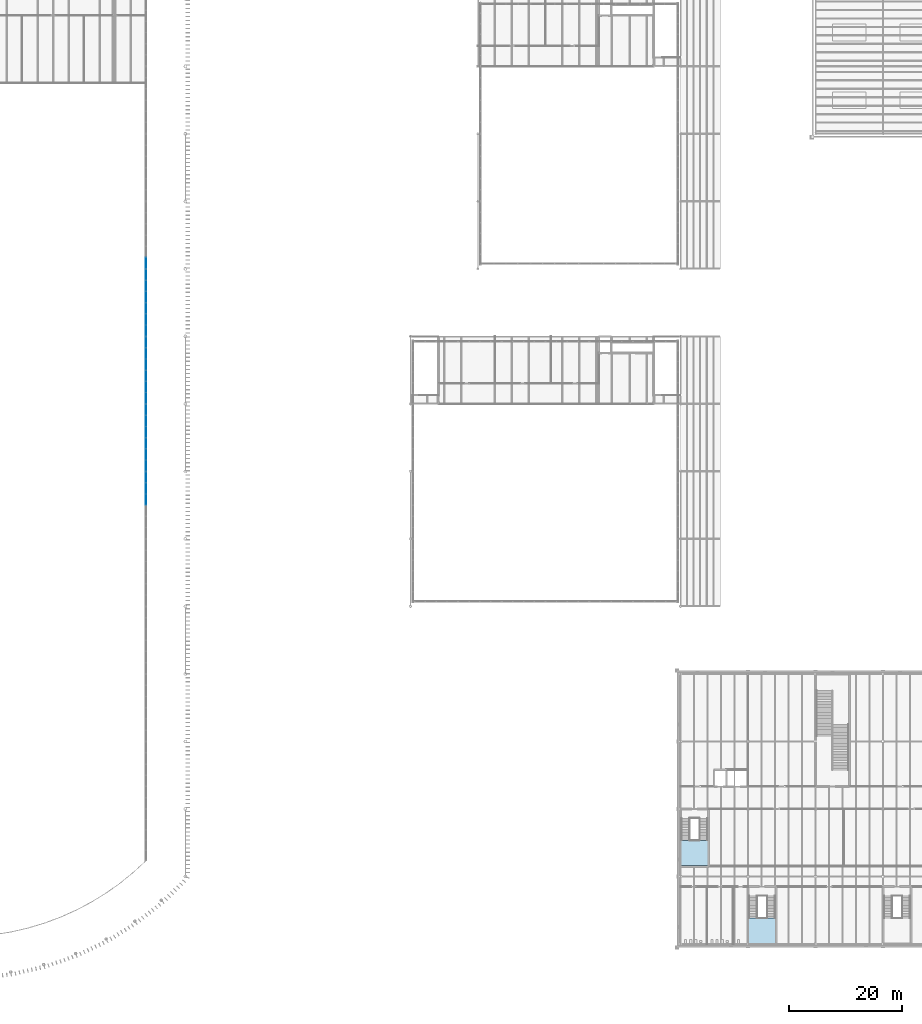
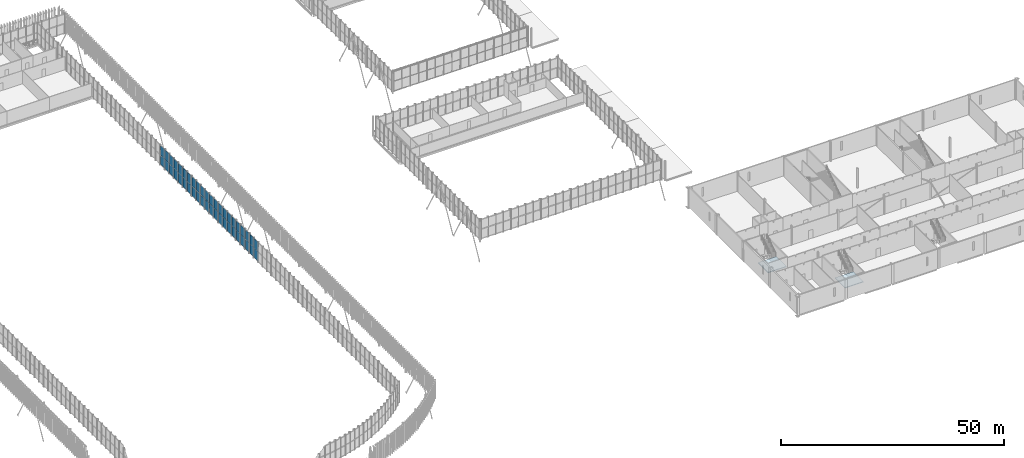
# One storey, part 90 of 170: 44 plates, 2 slabs, 7 elements without a shape of their own.
"""IFC4 building model written with IfcOpenShell, lengths in metres."""

from ifc_helpers import new_model, si_unit, direction, frame, origin, origin_2d, place, context, subcontext, project, spatial, polyline, rectangle, outline, extrude, material, layer, layer_set, type_object, element, aggregate, save


model = new_model("IFC4")

# Units and contexts
model_context = context("Model", 3, precision=1e-05, world=origin(), true_north=direction((0.0, 1.0)))
body_context = subcontext(model_context, "Body", "Model", "MODEL_VIEW")
ifc_project = project(units=[si_unit("LENGTHUNIT", "METRE"), si_unit("AREAUNIT", "SQUARE_METRE"), si_unit("VOLUMEUNIT", "CUBIC_METRE"), si_unit("PLANEANGLEUNIT", "RADIAN"), si_unit("MASSUNIT", "GRAM", prefix="KILO")], contexts=[model_context])

# Site, building, storey
site_placement = place(None, origin())
site = spatial("IfcSite", under=ifc_project, at=site_placement, CompositionType="ELEMENT")
building_placement = place(site_placement, origin())
building = spatial("IfcBuilding", under=site, at=building_placement, Name="Ravi Spectrum Wholesale Market", CompositionType="ELEMENT")
storey_placement = place(building_placement, frame((0.0, 0.0, 5.39990234375)))
storey = spatial("IfcBuildingStorey", under=building, at=storey_placement, Name="L01", CompositionType="ELEMENT", Elevation=5.39990234375)

# Curtain wall, plates
ifc_material_1 = material(Name="Aluminium 6063-T6", Category="aluminium")
ifc_layer_1 = layer(ifc_material_1, 0.14990234375)
ifc_layer_set_1 = layer_set([ifc_layer_1], Name="Aluminium 6063-T6")
curtain_wall_type = type_object("IfcCurtainWallType", Name="Curtain wall 150", PredefinedType="NOTDEFINED", material=ifc_layer_set_1)
curtain_wall_1_placement = place(storey_placement, origin())
curtain_wall_1 = element("IfcCurtainWall", 1, at=curtain_wall_1_placement, inside=storey, type_object=curtain_wall_type, Name="H1-CW-L01-020", PredefinedType="NOTDEFINED")
ifc_material_2 = material(Name="Toughened glass", Category="glass")
ifc_layer_2 = layer(ifc_material_2, 0.028076171875)
ifc_layer_set_2 = layer_set([ifc_layer_2], Name="Toughened glass")
plate_type = type_object("IfcPlateType", Name="Glazing panel 28", PredefinedType="CURTAIN_PANEL", material=ifc_layer_set_2)
plate_1_placement = place(storey_placement, frame((103.0, 96.993408203125, 0.06005859375), z_axis=(0.0, 0.0, 1.0), x_axis=(0.0, 1.0, 0.0)))
plate_1 = element("IfcPlate", 2, at=plate_1_placement, type_object=plate_type, Name="H1-CW-L01-020 panel 4.1", PredefinedType="CURTAIN_PANEL", context=body_context, shape_type="SweptSolid", body=[
    extrude(rectangle(XDim=1.9267578125, YDim=0.028076171875, at=origin_2d()), origin(), (0.0, 0.0, 1.0), 2.610107421875),
])
plate_2_placement = place(storey_placement, frame((103.0, 96.993408203125, 2.72998046875), z_axis=(0.0, 0.0, 1.0), x_axis=(0.0, 1.0, 0.0)))
plate_2 = element("IfcPlate", 3, at=plate_2_placement, type_object=plate_type, Name="H1-CW-L01-020 panel 4.2", PredefinedType="CURTAIN_PANEL", context=body_context, shape_type="SweptSolid", body=[
    extrude(rectangle(XDim=1.9267578125, YDim=0.028076171875, at=origin_2d()), origin(), (0.0, 0.0, 1.0), 2.610107421875),
])
plate_3_placement = place(storey_placement, frame((103.0, 98.97998046875, 0.06005859375), z_axis=(0.0, 0.0, 1.0), x_axis=(0.0, 1.0, 0.0)))
plate_3 = element("IfcPlate", 4, at=plate_3_placement, type_object=plate_type, Name="H1-CW-L01-020 panel 5.1", PredefinedType="CURTAIN_PANEL", context=body_context, shape_type="SweptSolid", body=[
    extrude(rectangle(XDim=1.9267578125, YDim=0.028076171875, at=origin_2d()), origin(), (0.0, 0.0, 1.0), 2.610107421875),
])
plate_4_placement = place(storey_placement, frame((103.0, 98.97998046875, 2.72998046875), z_axis=(0.0, 0.0, 1.0), x_axis=(0.0, 1.0, 0.0)))
plate_4 = element("IfcPlate", 5, at=plate_4_placement, type_object=plate_type, Name="H1-CW-L01-020 panel 5.2", PredefinedType="CURTAIN_PANEL", context=body_context, shape_type="SweptSolid", body=[
    extrude(rectangle(XDim=1.9267578125, YDim=0.028076171875, at=origin_2d()), origin(), (0.0, 0.0, 1.0), 2.610107421875),
])
plate_5_placement = place(storey_placement, frame((103.0, 100.95166015625, 0.06005859375), z_axis=(0.0, 0.0, 1.0), x_axis=(0.0, 1.0, 0.0)))
plate_5 = element("IfcPlate", 6, at=plate_5_placement, type_object=plate_type, Name="H1-CW-L01-020 panel 6.1", PredefinedType="CURTAIN_PANEL", context=body_context, shape_type="SweptSolid", body=[
    extrude(rectangle(XDim=1.896728515625, YDim=0.028076171875, at=origin_2d()), origin(), (0.0, 0.0, 1.0), 2.610107421875),
])
plate_6_placement = place(storey_placement, frame((103.0, 100.95166015625, 2.72998046875), z_axis=(0.0, 0.0, 1.0), x_axis=(0.0, 1.0, 0.0)))
plate_6 = element("IfcPlate", 7, at=plate_6_placement, type_object=plate_type, Name="H1-CW-L01-020 panel 6.2", PredefinedType="CURTAIN_PANEL", context=body_context, shape_type="SweptSolid", body=[
    extrude(rectangle(XDim=1.896728515625, YDim=0.028076171875, at=origin_2d()), origin(), (0.0, 0.0, 1.0), 2.610107421875),
])
aggregate(curtain_wall_1, [plate_1, plate_2, plate_3, plate_4, plate_5, plate_6])

curtain_wall_2_placement = place(storey_placement, origin())
curtain_wall_2 = element("IfcCurtainWall", 8, at=curtain_wall_2_placement, inside=storey, type_object=curtain_wall_type, Name="H1-CW-L01-021", PredefinedType="NOTDEFINED")
plate_7_placement = place(storey_placement, frame((103.0, 103.04833984375, 0.06005859375), z_axis=(0.0, 0.0, 1.0), x_axis=(0.0, 1.0, 0.0)))
plate_7 = element("IfcPlate", 9, at=plate_7_placement, type_object=plate_type, Name="H1-CW-L01-021 panel 1.1", PredefinedType="CURTAIN_PANEL", context=body_context, shape_type="SweptSolid", body=[
    extrude(rectangle(XDim=1.896728515625, YDim=0.028076171875, at=origin_2d()), origin(), (0.0, 0.0, 1.0), 2.610107421875),
])
plate_8_placement = place(storey_placement, frame((103.0, 103.04833984375, 2.72998046875), z_axis=(0.0, 0.0, 1.0), x_axis=(0.0, 1.0, 0.0)))
plate_8 = element("IfcPlate", 10, at=plate_8_placement, type_object=plate_type, Name="H1-CW-L01-021 panel 1.2", PredefinedType="CURTAIN_PANEL", context=body_context, shape_type="SweptSolid", body=[
    extrude(rectangle(XDim=1.896728515625, YDim=0.028076171875, at=origin_2d()), origin(), (0.0, 0.0, 1.0), 2.610107421875),
])
plate_9_placement = place(storey_placement, frame((103.0, 105.02001953125, 0.06005859375), z_axis=(0.0, 0.0, 1.0), x_axis=(0.0, 1.0, 0.0)))
plate_9 = element("IfcPlate", 11, at=plate_9_placement, type_object=plate_type, Name="H1-CW-L01-021 panel 2.1", PredefinedType="CURTAIN_PANEL", context=body_context, shape_type="SweptSolid", body=[
    extrude(rectangle(XDim=1.9267578125, YDim=0.028076171875, at=origin_2d()), origin(), (0.0, 0.0, 1.0), 2.610107421875),
])
plate_10_placement = place(storey_placement, frame((103.0, 105.02001953125, 2.72998046875), z_axis=(0.0, 0.0, 1.0), x_axis=(0.0, 1.0, 0.0)))
plate_10 = element("IfcPlate", 12, at=plate_10_placement, type_object=plate_type, Name="H1-CW-L01-021 panel 2.2", PredefinedType="CURTAIN_PANEL", context=body_context, shape_type="SweptSolid", body=[
    extrude(rectangle(XDim=1.9267578125, YDim=0.028076171875, at=origin_2d()), origin(), (0.0, 0.0, 1.0), 2.610107421875),
])
plate_11_placement = place(storey_placement, frame((103.0, 107.006591796875, 0.06005859375), z_axis=(0.0, 0.0, 1.0), x_axis=(0.0, 1.0, 0.0)))
plate_11 = element("IfcPlate", 13, at=plate_11_placement, type_object=plate_type, Name="H1-CW-L01-021 panel 3.1", PredefinedType="CURTAIN_PANEL", context=body_context, shape_type="SweptSolid", body=[
    extrude(rectangle(XDim=1.9267578125, YDim=0.028076171875, at=origin_2d()), origin(), (0.0, 0.0, 1.0), 2.610107421875),
])
plate_12_placement = place(storey_placement, frame((103.0, 107.006591796875, 2.72998046875), z_axis=(0.0, 0.0, 1.0), x_axis=(0.0, 1.0, 0.0)))
plate_12 = element("IfcPlate", 14, at=plate_12_placement, type_object=plate_type, Name="H1-CW-L01-021 panel 3.2", PredefinedType="CURTAIN_PANEL", context=body_context, shape_type="SweptSolid", body=[
    extrude(rectangle(XDim=1.9267578125, YDim=0.028076171875, at=origin_2d()), origin(), (0.0, 0.0, 1.0), 2.610107421875),
])
plate_13_placement = place(storey_placement, frame((103.0, 108.993408203125, 0.06005859375), z_axis=(0.0, 0.0, 1.0), x_axis=(0.0, 1.0, 0.0)))
plate_13 = element("IfcPlate", 15, at=plate_13_placement, type_object=plate_type, Name="H1-CW-L01-021 panel 4.1", PredefinedType="CURTAIN_PANEL", context=body_context, shape_type="SweptSolid", body=[
    extrude(rectangle(XDim=1.9267578125, YDim=0.028076171875, at=origin_2d()), origin(), (0.0, 0.0, 1.0), 2.610107421875),
])
plate_14_placement = place(storey_placement, frame((103.0, 108.993408203125, 2.72998046875), z_axis=(0.0, 0.0, 1.0), x_axis=(0.0, 1.0, 0.0)))
plate_14 = element("IfcPlate", 16, at=plate_14_placement, type_object=plate_type, Name="H1-CW-L01-021 panel 4.2", PredefinedType="CURTAIN_PANEL", context=body_context, shape_type="SweptSolid", body=[
    extrude(rectangle(XDim=1.9267578125, YDim=0.028076171875, at=origin_2d()), origin(), (0.0, 0.0, 1.0), 2.610107421875),
])
plate_15_placement = place(storey_placement, frame((103.0, 110.97998046875, 0.06005859375), z_axis=(0.0, 0.0, 1.0), x_axis=(0.0, 1.0, 0.0)))
plate_15 = element("IfcPlate", 17, at=plate_15_placement, type_object=plate_type, Name="H1-CW-L01-021 panel 5.1", PredefinedType="CURTAIN_PANEL", context=body_context, shape_type="SweptSolid", body=[
    extrude(rectangle(XDim=1.9267578125, YDim=0.028076171875, at=origin_2d()), origin(), (0.0, 0.0, 1.0), 2.610107421875),
])
plate_16_placement = place(storey_placement, frame((103.0, 110.97998046875, 2.72998046875), z_axis=(0.0, 0.0, 1.0), x_axis=(0.0, 1.0, 0.0)))
plate_16 = element("IfcPlate", 18, at=plate_16_placement, type_object=plate_type, Name="H1-CW-L01-021 panel 5.2", PredefinedType="CURTAIN_PANEL", context=body_context, shape_type="SweptSolid", body=[
    extrude(rectangle(XDim=1.9267578125, YDim=0.028076171875, at=origin_2d()), origin(), (0.0, 0.0, 1.0), 2.610107421875),
])
plate_17_placement = place(storey_placement, frame((103.0, 112.95166015625, 0.06005859375), z_axis=(0.0, 0.0, 1.0), x_axis=(0.0, 1.0, 0.0)))
plate_17 = element("IfcPlate", 19, at=plate_17_placement, type_object=plate_type, Name="H1-CW-L01-021 panel 6.1", PredefinedType="CURTAIN_PANEL", context=body_context, shape_type="SweptSolid", body=[
    extrude(rectangle(XDim=1.896728515625, YDim=0.028076171875, at=origin_2d()), origin(), (0.0, 0.0, 1.0), 2.610107421875),
])
plate_18_placement = place(storey_placement, frame((103.0, 112.95166015625, 2.72998046875), z_axis=(0.0, 0.0, 1.0), x_axis=(0.0, 1.0, 0.0)))
plate_18 = element("IfcPlate", 20, at=plate_18_placement, type_object=plate_type, Name="H1-CW-L01-021 panel 6.2", PredefinedType="CURTAIN_PANEL", context=body_context, shape_type="SweptSolid", body=[
    extrude(rectangle(XDim=1.896728515625, YDim=0.028076171875, at=origin_2d()), origin(), (0.0, 0.0, 1.0), 2.610107421875),
])
aggregate(curtain_wall_2, [plate_7, plate_8, plate_9, plate_10, plate_11, plate_12, plate_13, plate_14, plate_15, plate_16, plate_17, plate_18])

curtain_wall_3_placement = place(storey_placement, origin())
curtain_wall_3 = element("IfcCurtainWall", 21, at=curtain_wall_3_placement, inside=storey, type_object=curtain_wall_type, Name="H1-CW-L01-022", PredefinedType="NOTDEFINED")
plate_19_placement = place(storey_placement, frame((103.0, 115.04833984375, 0.06005859375), z_axis=(0.0, 0.0, 1.0), x_axis=(0.0, 1.0, 0.0)))
plate_19 = element("IfcPlate", 22, at=plate_19_placement, type_object=plate_type, Name="H1-CW-L01-022 panel 1.1", PredefinedType="CURTAIN_PANEL", context=body_context, shape_type="SweptSolid", body=[
    extrude(rectangle(XDim=1.896728515625, YDim=0.028076171875, at=origin_2d()), origin(), (0.0, 0.0, 1.0), 2.610107421875),
])
plate_20_placement = place(storey_placement, frame((103.0, 115.04833984375, 2.72998046875), z_axis=(0.0, 0.0, 1.0), x_axis=(0.0, 1.0, 0.0)))
plate_20 = element("IfcPlate", 23, at=plate_20_placement, type_object=plate_type, Name="H1-CW-L01-022 panel 1.2", PredefinedType="CURTAIN_PANEL", context=body_context, shape_type="SweptSolid", body=[
    extrude(rectangle(XDim=1.896728515625, YDim=0.028076171875, at=origin_2d()), origin(), (0.0, 0.0, 1.0), 2.610107421875),
])
plate_21_placement = place(storey_placement, frame((103.0, 117.02001953125, 0.06005859375), z_axis=(0.0, 0.0, 1.0), x_axis=(0.0, 1.0, 0.0)))
plate_21 = element("IfcPlate", 24, at=plate_21_placement, type_object=plate_type, Name="H1-CW-L01-022 panel 2.1", PredefinedType="CURTAIN_PANEL", context=body_context, shape_type="SweptSolid", body=[
    extrude(rectangle(XDim=1.9267578125, YDim=0.028076171875, at=origin_2d()), origin(), (0.0, 0.0, 1.0), 2.610107421875),
])
plate_22_placement = place(storey_placement, frame((103.0, 117.02001953125, 2.72998046875), z_axis=(0.0, 0.0, 1.0), x_axis=(0.0, 1.0, 0.0)))
plate_22 = element("IfcPlate", 25, at=plate_22_placement, type_object=plate_type, Name="H1-CW-L01-022 panel 2.2", PredefinedType="CURTAIN_PANEL", context=body_context, shape_type="SweptSolid", body=[
    extrude(rectangle(XDim=1.9267578125, YDim=0.028076171875, at=origin_2d()), origin(), (0.0, 0.0, 1.0), 2.610107421875),
])
plate_23_placement = place(storey_placement, frame((103.0, 119.006591796875, 0.06005859375), z_axis=(0.0, 0.0, 1.0), x_axis=(0.0, 1.0, 0.0)))
plate_23 = element("IfcPlate", 26, at=plate_23_placement, type_object=plate_type, Name="H1-CW-L01-022 panel 3.1", PredefinedType="CURTAIN_PANEL", context=body_context, shape_type="SweptSolid", body=[
    extrude(rectangle(XDim=1.9267578125, YDim=0.028076171875, at=origin_2d()), origin(), (0.0, 0.0, 1.0), 2.610107421875),
])
plate_24_placement = place(storey_placement, frame((103.0, 119.006591796875, 2.72998046875), z_axis=(0.0, 0.0, 1.0), x_axis=(0.0, 1.0, 0.0)))
plate_24 = element("IfcPlate", 27, at=plate_24_placement, type_object=plate_type, Name="H1-CW-L01-022 panel 3.2", PredefinedType="CURTAIN_PANEL", context=body_context, shape_type="SweptSolid", body=[
    extrude(rectangle(XDim=1.9267578125, YDim=0.028076171875, at=origin_2d()), origin(), (0.0, 0.0, 1.0), 2.610107421875),
])
plate_25_placement = place(storey_placement, frame((103.0, 120.993408203125, 0.06005859375), z_axis=(0.0, 0.0, 1.0), x_axis=(0.0, 1.0, 0.0)))
plate_25 = element("IfcPlate", 28, at=plate_25_placement, type_object=plate_type, Name="H1-CW-L01-022 panel 4.1", PredefinedType="CURTAIN_PANEL", context=body_context, shape_type="SweptSolid", body=[
    extrude(rectangle(XDim=1.9267578125, YDim=0.028076171875, at=origin_2d()), origin(), (0.0, 0.0, 1.0), 2.610107421875),
])
plate_26_placement = place(storey_placement, frame((103.0, 120.993408203125, 2.72998046875), z_axis=(0.0, 0.0, 1.0), x_axis=(0.0, 1.0, 0.0)))
plate_26 = element("IfcPlate", 29, at=plate_26_placement, type_object=plate_type, Name="H1-CW-L01-022 panel 4.2", PredefinedType="CURTAIN_PANEL", context=body_context, shape_type="SweptSolid", body=[
    extrude(rectangle(XDim=1.9267578125, YDim=0.028076171875, at=origin_2d()), origin(), (0.0, 0.0, 1.0), 2.610107421875),
])
plate_27_placement = place(storey_placement, frame((103.0, 122.97998046875, 0.06005859375), z_axis=(0.0, 0.0, 1.0), x_axis=(0.0, 1.0, 0.0)))
plate_27 = element("IfcPlate", 30, at=plate_27_placement, type_object=plate_type, Name="H1-CW-L01-022 panel 5.1", PredefinedType="CURTAIN_PANEL", context=body_context, shape_type="SweptSolid", body=[
    extrude(rectangle(XDim=1.9267578125, YDim=0.028076171875, at=origin_2d()), origin(), (0.0, 0.0, 1.0), 2.610107421875),
])
plate_28_placement = place(storey_placement, frame((103.0, 122.97998046875, 2.72998046875), z_axis=(0.0, 0.0, 1.0), x_axis=(0.0, 1.0, 0.0)))
plate_28 = element("IfcPlate", 31, at=plate_28_placement, type_object=plate_type, Name="H1-CW-L01-022 panel 5.2", PredefinedType="CURTAIN_PANEL", context=body_context, shape_type="SweptSolid", body=[
    extrude(rectangle(XDim=1.9267578125, YDim=0.028076171875, at=origin_2d()), origin(), (0.0, 0.0, 1.0), 2.610107421875),
])
plate_29_placement = place(storey_placement, frame((103.0, 124.95166015625, 0.06005859375), z_axis=(0.0, 0.0, 1.0), x_axis=(0.0, 1.0, 0.0)))
plate_29 = element("IfcPlate", 32, at=plate_29_placement, type_object=plate_type, Name="H1-CW-L01-022 panel 6.1", PredefinedType="CURTAIN_PANEL", context=body_context, shape_type="SweptSolid", body=[
    extrude(rectangle(XDim=1.896728515625, YDim=0.028076171875, at=origin_2d()), origin(), (0.0, 0.0, 1.0), 2.610107421875),
])
plate_30_placement = place(storey_placement, frame((103.0, 124.95166015625, 2.72998046875), z_axis=(0.0, 0.0, 1.0), x_axis=(0.0, 1.0, 0.0)))
plate_30 = element("IfcPlate", 33, at=plate_30_placement, type_object=plate_type, Name="H1-CW-L01-022 panel 6.2", PredefinedType="CURTAIN_PANEL", context=body_context, shape_type="SweptSolid", body=[
    extrude(rectangle(XDim=1.896728515625, YDim=0.028076171875, at=origin_2d()), origin(), (0.0, 0.0, 1.0), 2.610107421875),
])
aggregate(curtain_wall_3, [plate_19, plate_20, plate_21, plate_22, plate_23, plate_24, plate_25, plate_26, plate_27, plate_28, plate_29, plate_30])

curtain_wall_4_placement = place(storey_placement, origin())
curtain_wall_4 = element("IfcCurtainWall", 34, at=curtain_wall_4_placement, inside=storey, type_object=curtain_wall_type, Name="H1-CW-L01-023", PredefinedType="NOTDEFINED")
plate_31_placement = place(storey_placement, frame((103.0, 127.04833984375, 0.06005859375), z_axis=(0.0, 0.0, 1.0), x_axis=(0.0, 1.0, 0.0)))
plate_31 = element("IfcPlate", 35, at=plate_31_placement, type_object=plate_type, Name="H1-CW-L01-023 panel 1.1", PredefinedType="CURTAIN_PANEL", context=body_context, shape_type="SweptSolid", body=[
    extrude(rectangle(XDim=1.896728515625, YDim=0.028076171875, at=origin_2d()), origin(), (0.0, 0.0, 1.0), 2.610107421875),
])
plate_32_placement = place(storey_placement, frame((103.0, 127.04833984375, 2.72998046875), z_axis=(0.0, 0.0, 1.0), x_axis=(0.0, 1.0, 0.0)))
plate_32 = element("IfcPlate", 36, at=plate_32_placement, type_object=plate_type, Name="H1-CW-L01-023 panel 1.2", PredefinedType="CURTAIN_PANEL", context=body_context, shape_type="SweptSolid", body=[
    extrude(rectangle(XDim=1.896728515625, YDim=0.028076171875, at=origin_2d()), origin(), (0.0, 0.0, 1.0), 2.610107421875),
])
plate_33_placement = place(storey_placement, frame((103.0, 129.02001953125, 0.06005859375), z_axis=(0.0, 0.0, 1.0), x_axis=(0.0, 1.0, 0.0)))
plate_33 = element("IfcPlate", 37, at=plate_33_placement, type_object=plate_type, Name="H1-CW-L01-023 panel 2.1", PredefinedType="CURTAIN_PANEL", context=body_context, shape_type="SweptSolid", body=[
    extrude(rectangle(XDim=1.9267578125, YDim=0.028076171875, at=origin_2d()), origin(), (0.0, 0.0, 1.0), 2.610107421875),
])
plate_34_placement = place(storey_placement, frame((103.0, 129.02001953125, 2.72998046875), z_axis=(0.0, 0.0, 1.0), x_axis=(0.0, 1.0, 0.0)))
plate_34 = element("IfcPlate", 38, at=plate_34_placement, type_object=plate_type, Name="H1-CW-L01-023 panel 2.2", PredefinedType="CURTAIN_PANEL", context=body_context, shape_type="SweptSolid", body=[
    extrude(rectangle(XDim=1.9267578125, YDim=0.028076171875, at=origin_2d()), origin(), (0.0, 0.0, 1.0), 2.610107421875),
])
plate_35_placement = place(storey_placement, frame((103.0, 131.006591796875, 0.06005859375), z_axis=(0.0, 0.0, 1.0), x_axis=(0.0, 1.0, 0.0)))
plate_35 = element("IfcPlate", 39, at=plate_35_placement, type_object=plate_type, Name="H1-CW-L01-023 panel 3.1", PredefinedType="CURTAIN_PANEL", context=body_context, shape_type="SweptSolid", body=[
    extrude(rectangle(XDim=1.9267578125, YDim=0.028076171875, at=origin_2d()), origin(), (0.0, 0.0, 1.0), 2.610107421875),
])
plate_36_placement = place(storey_placement, frame((103.0, 131.006591796875, 2.72998046875), z_axis=(0.0, 0.0, 1.0), x_axis=(0.0, 1.0, 0.0)))
plate_36 = element("IfcPlate", 40, at=plate_36_placement, type_object=plate_type, Name="H1-CW-L01-023 panel 3.2", PredefinedType="CURTAIN_PANEL", context=body_context, shape_type="SweptSolid", body=[
    extrude(rectangle(XDim=1.9267578125, YDim=0.028076171875, at=origin_2d()), origin(), (0.0, 0.0, 1.0), 2.610107421875),
])
plate_37_placement = place(storey_placement, frame((103.0, 132.993408203125, 0.06005859375), z_axis=(0.0, 0.0, 1.0), x_axis=(0.0, 1.0, 0.0)))
plate_37 = element("IfcPlate", 41, at=plate_37_placement, type_object=plate_type, Name="H1-CW-L01-023 panel 4.1", PredefinedType="CURTAIN_PANEL", context=body_context, shape_type="SweptSolid", body=[
    extrude(rectangle(XDim=1.9267578125, YDim=0.028076171875, at=origin_2d()), origin(), (0.0, 0.0, 1.0), 2.610107421875),
])
plate_38_placement = place(storey_placement, frame((103.0, 132.993408203125, 2.72998046875), z_axis=(0.0, 0.0, 1.0), x_axis=(0.0, 1.0, 0.0)))
plate_38 = element("IfcPlate", 42, at=plate_38_placement, type_object=plate_type, Name="H1-CW-L01-023 panel 4.2", PredefinedType="CURTAIN_PANEL", context=body_context, shape_type="SweptSolid", body=[
    extrude(rectangle(XDim=1.9267578125, YDim=0.028076171875, at=origin_2d()), origin(), (0.0, 0.0, 1.0), 2.610107421875),
])
plate_39_placement = place(storey_placement, frame((103.0, 134.97998046875, 0.06005859375), z_axis=(0.0, 0.0, 1.0), x_axis=(0.0, 1.0, 0.0)))
plate_39 = element("IfcPlate", 43, at=plate_39_placement, type_object=plate_type, Name="H1-CW-L01-023 panel 5.1", PredefinedType="CURTAIN_PANEL", context=body_context, shape_type="SweptSolid", body=[
    extrude(rectangle(XDim=1.9267578125, YDim=0.028076171875, at=origin_2d()), origin(), (0.0, 0.0, 1.0), 2.610107421875),
])
plate_40_placement = place(storey_placement, frame((103.0, 134.97998046875, 2.72998046875), z_axis=(0.0, 0.0, 1.0), x_axis=(0.0, 1.0, 0.0)))
plate_40 = element("IfcPlate", 44, at=plate_40_placement, type_object=plate_type, Name="H1-CW-L01-023 panel 5.2", PredefinedType="CURTAIN_PANEL", context=body_context, shape_type="SweptSolid", body=[
    extrude(rectangle(XDim=1.9267578125, YDim=0.028076171875, at=origin_2d()), origin(), (0.0, 0.0, 1.0), 2.610107421875),
])
plate_41_placement = place(storey_placement, frame((103.0, 136.95166015625, 0.06005859375), z_axis=(0.0, 0.0, 1.0), x_axis=(0.0, 1.0, 0.0)))
plate_41 = element("IfcPlate", 45, at=plate_41_placement, type_object=plate_type, Name="H1-CW-L01-023 panel 6.1", PredefinedType="CURTAIN_PANEL", context=body_context, shape_type="SweptSolid", body=[
    extrude(rectangle(XDim=1.896728515625, YDim=0.028076171875, at=origin_2d()), origin(), (0.0, 0.0, 1.0), 2.610107421875),
])
plate_42_placement = place(storey_placement, frame((103.0, 136.95166015625, 2.72998046875), z_axis=(0.0, 0.0, 1.0), x_axis=(0.0, 1.0, 0.0)))
plate_42 = element("IfcPlate", 46, at=plate_42_placement, type_object=plate_type, Name="H1-CW-L01-023 panel 6.2", PredefinedType="CURTAIN_PANEL", context=body_context, shape_type="SweptSolid", body=[
    extrude(rectangle(XDim=1.896728515625, YDim=0.028076171875, at=origin_2d()), origin(), (0.0, 0.0, 1.0), 2.610107421875),
])
aggregate(curtain_wall_4, [plate_31, plate_32, plate_33, plate_34, plate_35, plate_36, plate_37, plate_38, plate_39, plate_40, plate_41, plate_42])

curtain_wall_5_placement = place(storey_placement, origin())
curtain_wall_5 = element("IfcCurtainWall", 47, at=curtain_wall_5_placement, inside=storey, type_object=curtain_wall_type, Name="H1-CW-L01-024", PredefinedType="NOTDEFINED")
plate_43_placement = place(storey_placement, frame((103.0, 139.04833984375, 0.06005859375), z_axis=(0.0, 0.0, 1.0), x_axis=(0.0, 1.0, 0.0)))
plate_43 = element("IfcPlate", 48, at=plate_43_placement, type_object=plate_type, Name="H1-CW-L01-024 panel 1.1", PredefinedType="CURTAIN_PANEL", context=body_context, shape_type="SweptSolid", body=[
    extrude(rectangle(XDim=1.896728515625, YDim=0.028076171875, at=origin_2d()), origin(), (0.0, 0.0, 1.0), 2.610107421875),
])
plate_44_placement = place(storey_placement, frame((103.0, 139.04833984375, 2.72998046875), z_axis=(0.0, 0.0, 1.0), x_axis=(0.0, 1.0, 0.0)))
plate_44 = element("IfcPlate", 49, at=plate_44_placement, type_object=plate_type, Name="H1-CW-L01-024 panel 1.2", PredefinedType="CURTAIN_PANEL", context=body_context, shape_type="SweptSolid", body=[
    extrude(rectangle(XDim=1.896728515625, YDim=0.028076171875, at=origin_2d()), origin(), (0.0, 0.0, 1.0), 2.610107421875),
])
aggregate(curtain_wall_5, [plate_43, plate_44])

# Stair, slab
ifc_material_3 = material(Name="Concrete C35/45", Category="concrete")
stair_type = type_object("IfcStairType", Name="Stair", PredefinedType="NOTDEFINED", material=ifc_material_3)
stair_1_placement = place(storey_placement, origin())
stair_1 = element("IfcStair", 50, at=stair_1_placement, inside=storey, type_object=stair_type, Name="L01 S-CS-1", PredefinedType="HALF_TURN_STAIR")
ifc_material_4 = material(Name="Concrete C35/45", Category="concrete")
ifc_layer_3 = layer(ifc_material_4, 0.199951171875)
ifc_layer_set_3 = layer_set([ifc_layer_3], Name="Concrete C35/45")
slab_type = type_object("IfcSlabType", Name="Stair landing 200", PredefinedType="LANDING", material=ifc_layer_set_3)
slab_1_placement = place(storey_placement, frame((0.0, 0.0, 2.5)))
slab_1 = element("IfcSlab", 51, at=slab_1_placement, type_object=slab_type, Name="S-CS-1 landing 1", PredefinedType="LANDING", context=body_context, shape_type="SweptSolid", body=[
    extrude(outline(polyline([(198.125, 36.429931640625), (198.125, 31.925048828125), (202.875, 31.925048828125), (202.875, 36.429931640625), (198.125, 36.429931640625)])), origin(), (0.0, 0.0, 1.0), 0.2001953125),
])
aggregate(stair_1, [slab_1])

stair_2_placement = place(storey_placement, origin())
stair_2 = element("IfcStair", 52, at=stair_2_placement, inside=storey, type_object=stair_type, Name="L01 S-CS-6", PredefinedType="HALF_TURN_STAIR")
slab_2_placement = place(storey_placement, frame((0.0, 0.0, 2.5)))
slab_2 = element("IfcSlab", 53, at=slab_2_placement, type_object=slab_type, Name="S-CS-6 landing 1", PredefinedType="LANDING", context=body_context, shape_type="SweptSolid", body=[
    extrude(outline(polyline([(210.125, 22.6298828125), (210.125, 18.125), (214.875, 18.125), (214.875, 22.6298828125), (210.125, 22.6298828125)])), origin(), (0.0, 0.0, 1.0), 0.2001953125),
])
aggregate(stair_2, [slab_2])

save(model, "model.ifc")
